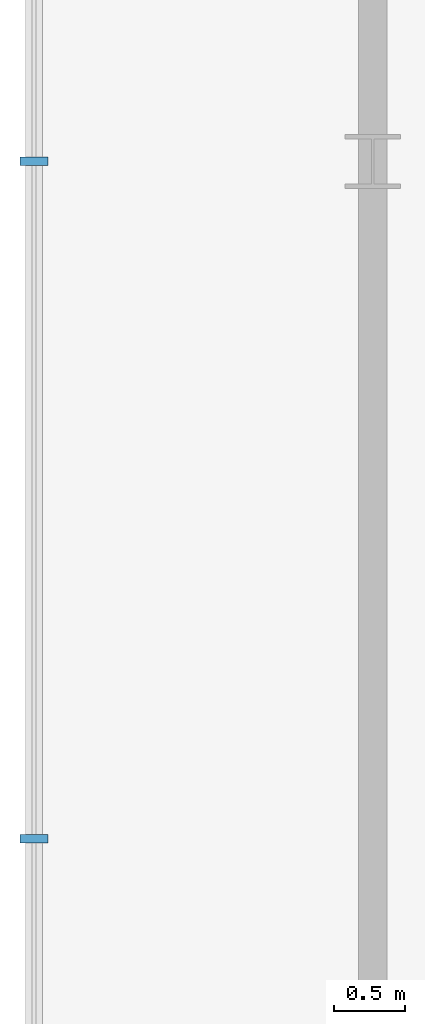
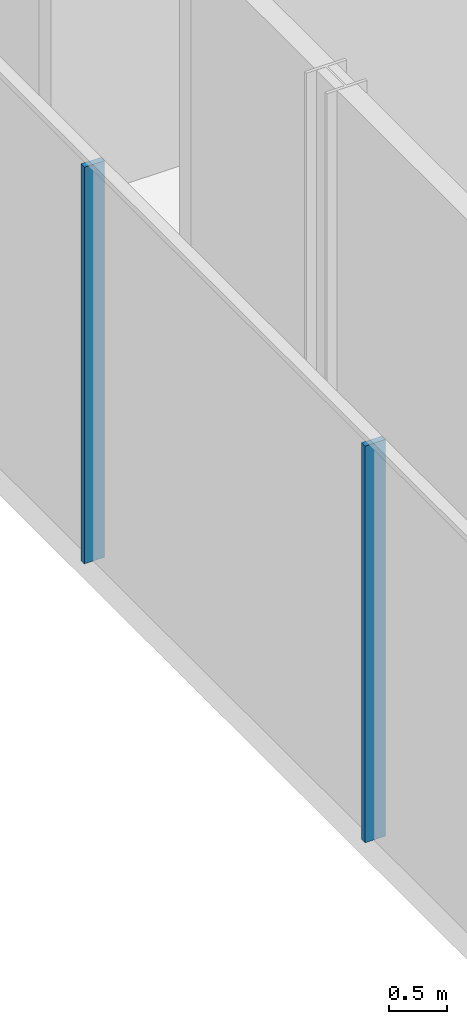
# One storey, part 12 of 38: 2 members, 1 element without a shape of its own.
"""IFC4 building model written with IfcOpenShell, lengths in metres."""

from ifc_helpers import new_model, si_unit, direction, frame, origin, origin_2d, place, context, subcontext, project, spatial, rectangle, extrude, material, layer, layer_set, material_profile, profile_set, type_object, element, aggregate, save


model = new_model("IFC4")

# Units and contexts
model_context = context("Model", 3, precision=1e-05, world=origin(), true_north=direction((0.0, 1.0)))
body_context = subcontext(model_context, "Body", "Model", "MODEL_VIEW")
ifc_project = project(units=[si_unit("LENGTHUNIT", "METRE"), si_unit("AREAUNIT", "SQUARE_METRE"), si_unit("VOLUMEUNIT", "CUBIC_METRE"), si_unit("PLANEANGLEUNIT", "RADIAN"), si_unit("MASSUNIT", "GRAM", prefix="KILO")], contexts=[model_context])

# Site, building, storey
site_placement = place(None, origin())
site = spatial("IfcSite", under=ifc_project, at=site_placement, CompositionType="ELEMENT")
building_placement = place(site_placement, origin())
building = spatial("IfcBuilding", under=site, at=building_placement, Name="Madar Terraces", CompositionType="ELEMENT")
storey_placement = place(building_placement, frame((0.0, 0.0, 15.0)))
storey = spatial("IfcBuildingStorey", under=building, at=storey_placement, Name="L03", CompositionType="ELEMENT", Elevation=15.0)

# Curtain wall, members
ifc_material_1 = material(Name="Glass, clear low-iron, with black aluminium frame", Category="aluminium")
ifc_layer = layer(ifc_material_1, 0.199951171875)
ifc_layer_set = layer_set([ifc_layer], Name="Facade curtain wall, shopfront glazing")
curtain_wall_type = type_object("IfcCurtainWallType", Name="Facade curtain wall, shopfront glazing", PredefinedType="NOTDEFINED", material=ifc_layer_set)
curtain_wall_placement = place(storey_placement, origin())
curtain_wall = element("IfcCurtainWall", 1, at=curtain_wall_placement, inside=storey, type_object=curtain_wall_type, Name="Outer skin curtain wall west bay 1", PredefinedType="NOTDEFINED")
ifc_material_2 = material(Name="Aluminium, black anodised", Category="aluminium")
ifc_material_profile = material_profile(ifc_material_2, rectangle(XDim=0.199951171875, YDim=0.06005859375, at=origin_2d()), Name="Facade mullion 60x200")
ifc_profile_set = profile_set([ifc_material_profile], Name="Aluminium, black anodised")
member_type = type_object("IfcMemberType", Name="Facade mullion 60x200", PredefinedType="MULLION", material=ifc_profile_set)
member_1_placement = place(storey_placement, frame((-7.199951171875, 38.39990234375, 0.0), z_axis=(0.0, 0.0, 1.0), x_axis=(1.0, 0.0, 0.0)))
member_1 = element("IfcMember", 2, at=member_1_placement, type_object=member_type, Name="Mullion 3", PredefinedType="MULLION", context=body_context, shape_type="SweptSolid", body=[
    extrude(rectangle(XDim=0.199951171875, YDim=0.06005859375, at=origin_2d()), origin(), (0.0, 0.0, 1.0), 4.139892578125),
])
member_2_placement = place(storey_placement, frame((-7.199951171875, 33.60009765625, 0.0), z_axis=(0.0, 0.0, 1.0), x_axis=(1.0, 0.0, 0.0)))
member_2 = element("IfcMember", 3, at=member_2_placement, type_object=member_type, Name="Mullion 4", PredefinedType="MULLION", context=body_context, shape_type="SweptSolid", body=[
    extrude(rectangle(XDim=0.199951171875, YDim=0.06005859375, at=origin_2d()), origin(), (0.0, 0.0, 1.0), 4.139892578125),
])
aggregate(curtain_wall, [member_1, member_2])

save(model, "model.ifc")
